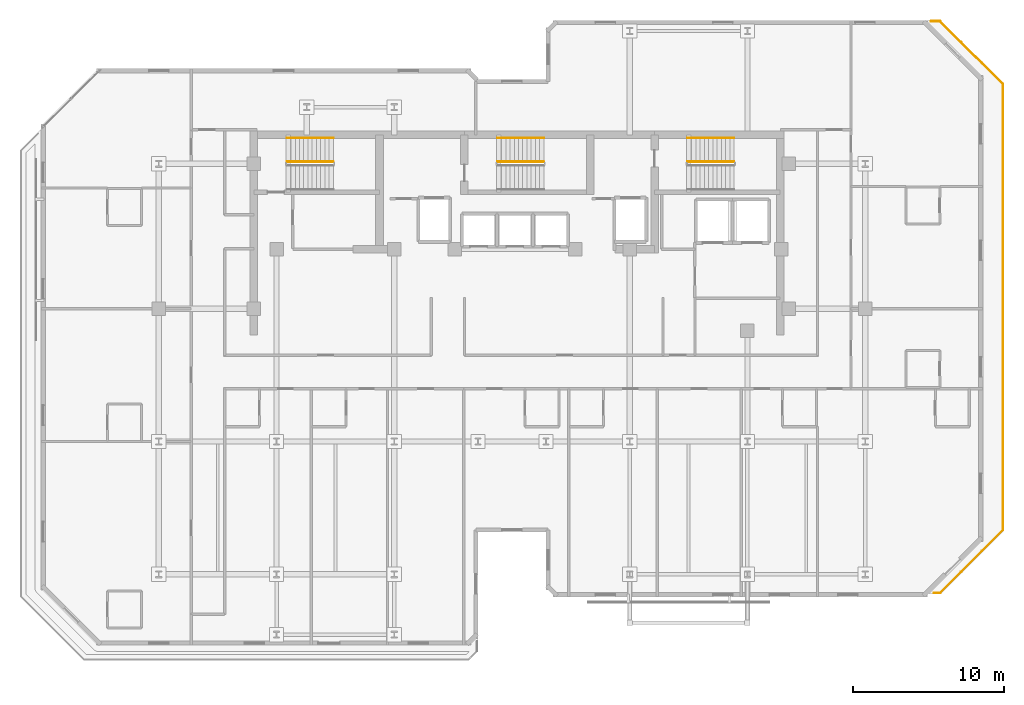
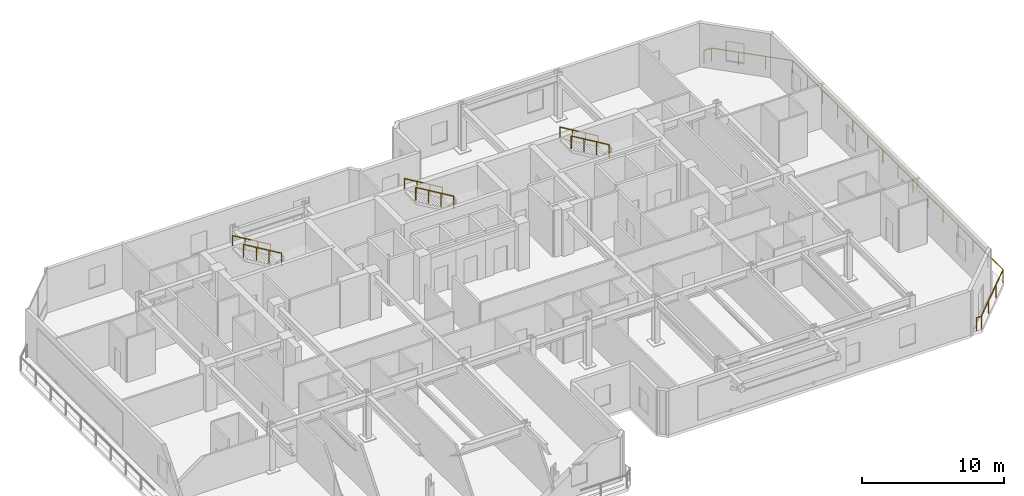
# One storey, part 13 of 13: 8 railings.
"""IFC4 building model written with IfcOpenShell, lengths in metres."""

from ifc_helpers import new_model, si_unit, direction, frame, origin, origin_2d, place, context, subcontext, project, spatial, circle, extrude, material, type_object, element, save


model = new_model("IFC4")

# Units and contexts
model_context = context("Model", 3, precision=1e-05, world=origin(), true_north=direction((0.0, 1.0)))
body_context = subcontext(model_context, "Body", "Model", "MODEL_VIEW")
ifc_project = project(units=[si_unit("LENGTHUNIT", "METRE"), si_unit("AREAUNIT", "SQUARE_METRE"), si_unit("VOLUMEUNIT", "CUBIC_METRE"), si_unit("PLANEANGLEUNIT", "RADIAN"), si_unit("MASSUNIT", "GRAM", prefix="KILO")], contexts=[model_context])

# Site, building, storey
site_placement = place(None, origin())
site = spatial("IfcSite", under=ifc_project, at=site_placement, CompositionType="ELEMENT")
building_placement = place(site_placement, origin())
building = spatial("IfcBuilding", under=site, at=building_placement, Name="Kestravale Grand Hotel", CompositionType="ELEMENT")
storey_placement = place(building_placement, frame((0.0, 0.0, 245.39990234375)))
storey = spatial("IfcBuildingStorey", under=building, at=storey_placement, Name="L61", CompositionType="ELEMENT", Elevation=245.39990234375)

# Railings
ifc_material_1 = material(Name="Champagne-bronze stainless steel and laminated glass guard", Category="steel")
railing_type_1 = type_object("IfcRailingType", Name="RL-EXT-1100", PredefinedType="GUARDRAIL", material=ifc_material_1)
railing_1_placement = place(storey_placement, frame((67.375, 47.840087890625, 0.0)))
element("IfcRailing", 1, at=railing_1_placement, inside=storey, type_object=railing_type_1, Name="L61 outdoor terrace guard 1", PredefinedType="GUARDRAIL", context=body_context, shape_type="SweptSolid", body=[
    extrude(circle(Radius=0.02392578125, at=origin_2d()), frame((0.0, 0.0, 1.09619140625), z_axis=(0.707106781187, -0.707106781187, 0.0), x_axis=(0.707106781187, 0.707106781187, 0.0)), (0.0, 0.0, 1.0), 5.89013671875),
    extrude(circle(Radius=0.02392578125, at=origin_2d()), frame((4.1650390625, -4.1650390625, 1.09619140625), z_axis=(0.0, -1.0, 0.0), x_axis=(1.0, 0.0, 0.0)), (0.0, 0.0, 1.0), 29.550048828125),
    extrude(circle(Radius=0.02392578125, at=origin_2d()), frame((4.1650390625, -33.715087890625, 1.09619140625), z_axis=(-0.707106781187, -0.707106781187, 0.0), x_axis=(0.707106781187, -0.707106781187, 0.0)), (0.0, 0.0, 1.0), 5.89013671875),
    extrude(circle(Radius=0.02392578125, at=origin_2d()), frame((0.0, -37.880126953125, 1.09619140625), z_axis=(-1.0, 0.0, 0.0), x_axis=(0.0, -1.0, 0.0)), (0.0, 0.0, 1.0), 0.40380859375),
    extrude(circle(Radius=0.02099609375, at=origin_2d()), origin(), (0.0, 0.0, 1.0), 1.072021484375),
    extrude(circle(Radius=0.02099609375, at=origin_2d()), frame((1.388427734375, -1.388427734375, 0.0)), (0.0, 0.0, 1.0), 1.072021484375),
    extrude(circle(Radius=0.02099609375, at=origin_2d()), frame((2.776611328125, -2.776611328125, 0.0)), (0.0, 0.0, 1.0), 1.072021484375),
    extrude(circle(Radius=0.02099609375, at=origin_2d()), frame((4.1650390625, -4.1650390625, 0.0)), (0.0, 0.0, 1.0), 1.072021484375),
    extrude(circle(Radius=0.02099609375, at=origin_2d()), frame((4.1650390625, -6.27587890625, 0.0)), (0.0, 0.0, 1.0), 1.072021484375),
    extrude(circle(Radius=0.02099609375, at=origin_2d()), frame((4.1650390625, -8.386474609375, 0.0)), (0.0, 0.0, 1.0), 1.072021484375),
    extrude(circle(Radius=0.02099609375, at=origin_2d()), frame((4.1650390625, -10.4970703125, 0.0)), (0.0, 0.0, 1.0), 1.072021484375),
    extrude(circle(Radius=0.02099609375, at=origin_2d()), frame((4.1650390625, -12.60791015625, 0.0)), (0.0, 0.0, 1.0), 1.072021484375),
    extrude(circle(Radius=0.02099609375, at=origin_2d()), frame((4.1650390625, -14.71875, 0.0)), (0.0, 0.0, 1.0), 1.072021484375),
    extrude(circle(Radius=0.02099609375, at=origin_2d()), frame((4.1650390625, -16.829345703125, 0.0)), (0.0, 0.0, 1.0), 1.072021484375),
    extrude(circle(Radius=0.02099609375, at=origin_2d()), frame((4.1650390625, -18.93994140625, 0.0)), (0.0, 0.0, 1.0), 1.072021484375),
    extrude(circle(Radius=0.02099609375, at=origin_2d()), frame((4.1650390625, -21.05078125, 0.0)), (0.0, 0.0, 1.0), 1.072021484375),
    extrude(circle(Radius=0.02099609375, at=origin_2d()), frame((4.1650390625, -23.16162109375, 0.0)), (0.0, 0.0, 1.0), 1.072021484375),
    extrude(circle(Radius=0.02099609375, at=origin_2d()), frame((4.1650390625, -25.272216796875, 0.0)), (0.0, 0.0, 1.0), 1.072021484375),
    extrude(circle(Radius=0.02099609375, at=origin_2d()), frame((4.1650390625, -27.3828125, 0.0)), (0.0, 0.0, 1.0), 1.072021484375),
    extrude(circle(Radius=0.02099609375, at=origin_2d()), frame((4.1650390625, -29.49365234375, 0.0)), (0.0, 0.0, 1.0), 1.072021484375),
    extrude(circle(Radius=0.02099609375, at=origin_2d()), frame((4.1650390625, -31.6044921875, 0.0)), (0.0, 0.0, 1.0), 1.072021484375),
    extrude(circle(Radius=0.02099609375, at=origin_2d()), frame((4.1650390625, -33.715087890625, 0.0)), (0.0, 0.0, 1.0), 1.072021484375),
    extrude(circle(Radius=0.02099609375, at=origin_2d()), frame((2.776611328125, -35.103515625, 0.0)), (0.0, 0.0, 1.0), 1.072021484375),
    extrude(circle(Radius=0.02099609375, at=origin_2d()), frame((1.388427734375, -36.49169921875, 0.0)), (0.0, 0.0, 1.0), 1.072021484375),
    extrude(circle(Radius=0.02099609375, at=origin_2d()), frame((0.0, -37.880126953125, 0.0)), (0.0, 0.0, 1.0), 1.072021484375),
    extrude(circle(Radius=0.02099609375, at=origin_2d()), frame((-0.40380859375, -37.880126953125, 0.0)), (0.0, 0.0, 1.0), 1.072021484375),
])
railing_2_placement = place(storey_placement, frame((66.77099609375, 47.840087890625, 0.0)))
element("IfcRailing", 2, at=railing_2_placement, inside=storey, type_object=railing_type_1, Name="L61 outdoor terrace guard 2", PredefinedType="GUARDRAIL", context=body_context, shape_type="SweptSolid", body=[
    extrude(circle(Radius=0.02392578125, at=origin_2d()), frame((0.0, 0.0, 1.09619140625), z_axis=(1.0, 0.0, 0.0), x_axis=(0.0, 1.0, 0.0)), (0.0, 0.0, 1.0), 0.60400390625),
    extrude(circle(Radius=0.02099609375, at=origin_2d()), origin(), (0.0, 0.0, 1.0), 1.072021484375),
    extrude(circle(Radius=0.02099609375, at=origin_2d()), frame((0.60400390625, 0.0, 0.0)), (0.0, 0.0, 1.0), 1.072021484375),
])
ifc_material_2 = material(Name="Painted tubular steel stair well guard", Category="steel")
railing_type_2 = type_object("IfcRailingType", Name="RL-ST-GRD1100", PredefinedType="GUARDRAIL", material=ifc_material_2)
railing_3_placement = place(storey_placement, frame((27.159912109375, 38.530029296875, 2.166748046875)))
element("IfcRailing", 3, at=railing_3_placement, inside=storey, type_object=railing_type_2, Name="L61 ST-1 stair guard 3", PredefinedType="GUARDRAIL", context=body_context, shape_type="SweptSolid", body=[
    extrude(circle(Radius=0.02392578125, at=origin_2d()), frame((0.0, 0.0, 1.076171875), z_axis=(-0.859290745958, 0.0, 0.51148745235), x_axis=(0.0, -1.0, 0.0)), (0.0, 0.0, 1.0), 3.584228515625),
    extrude(circle(Radius=0.02099609375, at=origin_2d()), origin(), (0.0, 0.0, 1.0), 1.052001953125),
    extrude(circle(Radius=0.02099609375, at=origin_2d()), frame((-1.026611328125, 0.0, 0.611083984375)), (0.0, 0.0, 1.0), 1.052001953125),
    extrude(circle(Radius=0.02099609375, at=origin_2d()), frame((-2.05322265625, 0.0, 1.22216796875)), (0.0, 0.0, 1.0), 1.052001953125),
    extrude(circle(Radius=0.02099609375, at=origin_2d()), frame((-3.079833984375, 0.0, 1.833251953125)), (0.0, 0.0, 1.0), 1.052001953125),
])
for number, where, name in (
    (4, (41.110107421875, 38.530029296875, 2.166748046875), "L61 ST-2 stair guard 3"),
    (5, (53.7099609375, 38.530029296875, 2.166748046875), "L61 ST-3 stair guard 3"),
):
    element("IfcRailing", number, at=place(storey_placement, frame(where)), inside=storey, type_object=railing_type_2, Name=name, PredefinedType="GUARDRAIL", context=body_context, shape_type="SweptSolid", body=[
        extrude(circle(Radius=0.02392578125, at=origin_2d()), frame((0.0, 0.0, 1.076171875), z_axis=(-0.859308565015, 0.0, 0.511457515432), x_axis=(0.0, -1.0, 0.0)), (0.0, 0.0, 1.0), 3.58447265625),
        extrude(circle(Radius=0.02099609375, at=origin_2d()), origin(), (0.0, 0.0, 1.0), 1.052001953125),
        extrude(circle(Radius=0.02099609375, at=origin_2d()), frame((-1.026611328125, 0.0, 0.611083984375)), (0.0, 0.0, 1.0), 1.052001953125),
        extrude(circle(Radius=0.02099609375, at=origin_2d()), frame((-2.053466796875, 0.0, 1.22216796875)), (0.0, 0.0, 1.0), 1.052001953125),
        extrude(circle(Radius=0.02099609375, at=origin_2d()), frame((-3.080078125, 0.0, 1.833251953125)), (0.0, 0.0, 1.0), 1.052001953125),
    ])
ifc_material_3 = material(Name="Brushed stainless steel wall handrail", Category="steel")
railing_type_3 = type_object("IfcRailingType", Name="RL-ST-HND900", PredefinedType="HANDRAIL", material=ifc_material_3)
railing_4_placement = place(storey_placement, frame((27.159912109375, 40.110107421875, 2.166748046875)))
element("IfcRailing", 6, at=railing_4_placement, inside=storey, type_object=railing_type_3, Name="L61 ST-1 stair handrail 2", PredefinedType="HANDRAIL", context=body_context, shape_type="SweptSolid", body=[
    extrude(circle(Radius=0.02392578125, at=origin_2d()), frame((0.0, 0.0, 0.8759765625), z_axis=(-0.859290745958, 0.0, 0.51148745235), x_axis=(0.0, -1.0, 0.0)), (0.0, 0.0, 1.0), 3.584228515625),
    extrude(circle(Radius=0.02099609375, at=origin_2d()), origin(), (0.0, 0.0, 1.0), 0.851806640625),
    extrude(circle(Radius=0.02099609375, at=origin_2d()), frame((-1.026611328125, 0.0, 0.611083984375)), (0.0, 0.0, 1.0), 0.851806640625),
    extrude(circle(Radius=0.02099609375, at=origin_2d()), frame((-2.05322265625, 0.0, 1.22216796875)), (0.0, 0.0, 1.0), 0.851806640625),
    extrude(circle(Radius=0.02099609375, at=origin_2d()), frame((-3.079833984375, 0.0, 1.833251953125)), (0.0, 0.0, 1.0), 0.851806640625),
])
for number, where, name in (
    (7, (41.110107421875, 40.110107421875, 2.166748046875), "L61 ST-2 stair handrail 2"),
    (8, (53.7099609375, 40.110107421875, 2.166748046875), "L61 ST-3 stair handrail 2"),
):
    element("IfcRailing", number, at=place(storey_placement, frame(where)), inside=storey, type_object=railing_type_3, Name=name, PredefinedType="HANDRAIL", context=body_context, shape_type="SweptSolid", body=[
        extrude(circle(Radius=0.02392578125, at=origin_2d()), frame((0.0, 0.0, 0.8759765625), z_axis=(-0.859308565015, 0.0, 0.511457515432), x_axis=(0.0, -1.0, 0.0)), (0.0, 0.0, 1.0), 3.58447265625),
        extrude(circle(Radius=0.02099609375, at=origin_2d()), origin(), (0.0, 0.0, 1.0), 0.851806640625),
        extrude(circle(Radius=0.02099609375, at=origin_2d()), frame((-1.026611328125, 0.0, 0.611083984375)), (0.0, 0.0, 1.0), 0.851806640625),
        extrude(circle(Radius=0.02099609375, at=origin_2d()), frame((-2.053466796875, 0.0, 1.22216796875)), (0.0, 0.0, 1.0), 0.851806640625),
        extrude(circle(Radius=0.02099609375, at=origin_2d()), frame((-3.080078125, 0.0, 1.833251953125)), (0.0, 0.0, 1.0), 0.851806640625),
    ])

save(model, "model.ifc")
